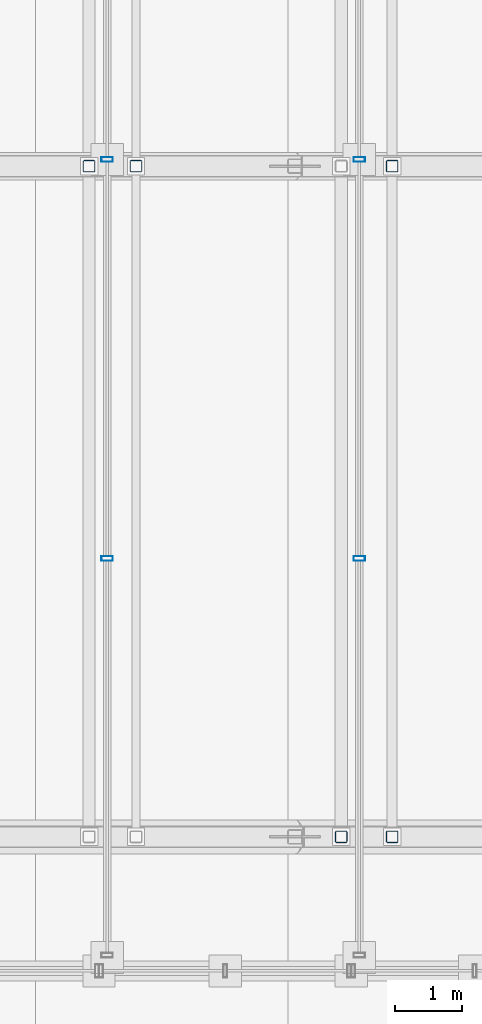
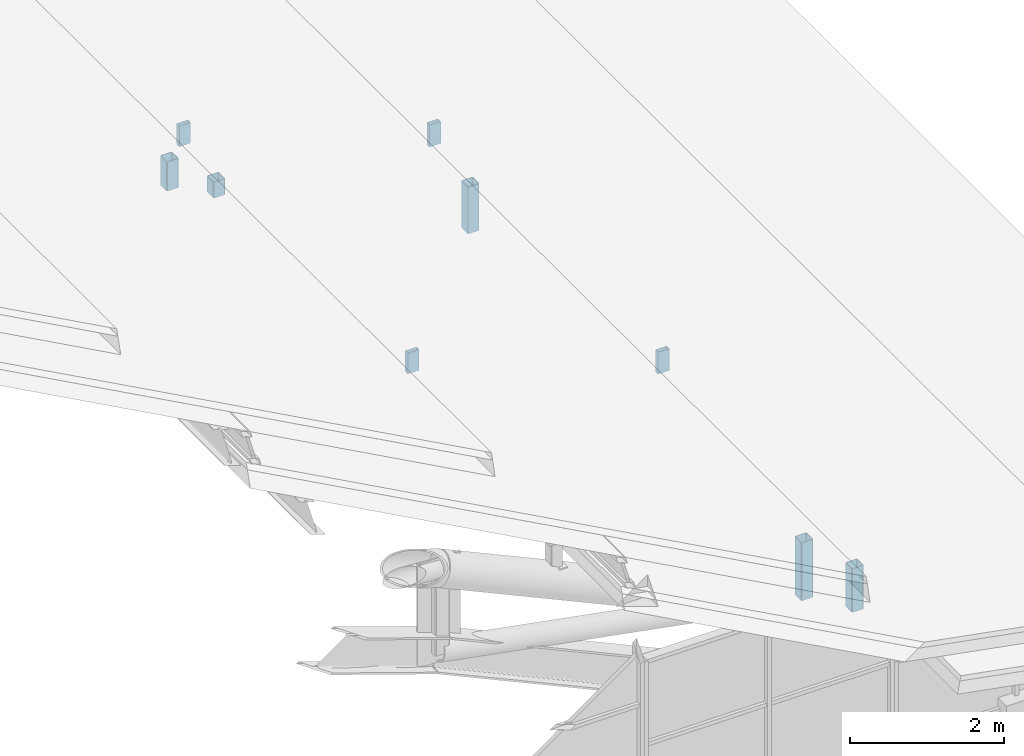
# One storey, part 55 of 117: 9 members, 2 elements without a shape of their own.
"""IFC4 building model written with IfcOpenShell, lengths in metres."""

from ifc_helpers import new_model, si_unit, direction, frame, origin, origin_2d, place, context, subcontext, project, spatial, hollow_rectangle, extrude, material, material_profile, profile_set, type_object, element, aggregate, save


model = new_model("IFC4")

# Units and contexts
model_context = context("Model", 3, precision=1e-05, world=origin(), true_north=direction((0.0, 1.0)))
body_context = subcontext(model_context, "Body", "Model", "MODEL_VIEW")
ifc_project = project(units=[si_unit("LENGTHUNIT", "METRE"), si_unit("AREAUNIT", "SQUARE_METRE"), si_unit("VOLUMEUNIT", "CUBIC_METRE"), si_unit("PLANEANGLEUNIT", "RADIAN"), si_unit("MASSUNIT", "GRAM", prefix="KILO")], contexts=[model_context])

# Site, building, storey
site_placement = place(None, origin())
site = spatial("IfcSite", under=ifc_project, at=site_placement, CompositionType="ELEMENT")
building_placement = place(site_placement, origin())
building = spatial("IfcBuilding", under=site, at=building_placement, Name="Merenkruunu Market Hall", CompositionType="ELEMENT")
storey_placement = place(building_placement, frame((0.0, 0.0, 22.800048828125)))
storey = spatial("IfcBuildingStorey", under=building, at=storey_placement, Name="RF", CompositionType="ELEMENT", Elevation=22.800048828125)

# Curtain wall, members
ifc_material_1 = material(Name="Powder-coated aluminium", Category="aluminium")
curtain_wall_type = type_object("IfcCurtainWallType", Name="Clerestory Curtain Band CL05", PredefinedType="USERDEFINED", material=ifc_material_1)
curtain_wall_1_placement = place(storey_placement, origin())
curtain_wall_1 = element("IfcCurtainWall", 1, at=curtain_wall_1_placement, inside=storey, type_object=curtain_wall_type, Name="CW-RF-CWM04-082", ObjectType="CLERESTORY_BAND", PredefinedType="USERDEFINED")
ifc_material_profile_1 = material_profile(ifc_material_1, hollow_rectangle(XDim=0.070068359375, YDim=0.169921875, WallThickness=0.0048828125, at=origin_2d()), Name="ALU 70x170x5")
ifc_profile_set_1 = profile_set([ifc_material_profile_1], Name="Powder-coated aluminium")
member_type_1 = type_object("IfcMemberType", Name="Curtain Wall Mullion CWM04", PredefinedType="MULLION", material=ifc_profile_set_1)
member_1_placement = place(storey_placement, frame((53.760009765625, 27.699951171875, -6.52197265625), z_axis=(0.0, 0.0, 1.0), x_axis=(0.0, -1.0, 0.0)))
member_1 = element("IfcMember", 2, at=member_1_placement, type_object=member_type_1, Name="CL05 mullion 3", PredefinedType="MULLION", context=body_context, shape_type="SweptSolid", body=[
    extrude(hollow_rectangle(XDim=0.070068359375, YDim=0.169921875, WallThickness=0.0048828125, at=origin_2d()), origin(), (0.0, 0.0, 1.0), 0.347900390625),
])
member_2_placement = place(storey_placement, frame((53.760009765625, 21.75, -6.52197265625), z_axis=(0.0, 0.0, 1.0), x_axis=(0.0, -1.0, 0.0)))
member_2 = element("IfcMember", 3, at=member_2_placement, type_object=member_type_1, Name="CL05 mullion 4", PredefinedType="MULLION", context=body_context, shape_type="SweptSolid", body=[
    extrude(hollow_rectangle(XDim=0.070068359375, YDim=0.169921875, WallThickness=0.0048828125, at=origin_2d()), origin(), (0.0, 0.0, 1.0), 0.347900390625),
])
aggregate(curtain_wall_1, [member_1, member_2])

curtain_wall_2_placement = place(storey_placement, origin())
curtain_wall_2 = element("IfcCurtainWall", 4, at=curtain_wall_2_placement, inside=storey, type_object=curtain_wall_type, Name="CW-RF-CWM04-090", ObjectType="CLERESTORY_BAND", PredefinedType="USERDEFINED")
member_3_placement = place(storey_placement, frame((50.0, 27.699951171875, -5.2021484375), z_axis=(0.0, 0.0, 1.0), x_axis=(0.0, -1.0, 0.0)))
member_3 = element("IfcMember", 5, at=member_3_placement, type_object=member_type_1, Name="CL05 mullion 3", PredefinedType="MULLION", context=body_context, shape_type="SweptSolid", body=[
    extrude(hollow_rectangle(XDim=0.070068359375, YDim=0.169921875, WallThickness=0.0048828125, at=origin_2d()), origin(), (0.0, 0.0, 1.0), 0.3271484375),
])
member_4_placement = place(storey_placement, frame((50.0, 21.75, -5.2021484375), z_axis=(0.0, 0.0, 1.0), x_axis=(0.0, -1.0, 0.0)))
member_4 = element("IfcMember", 6, at=member_4_placement, type_object=member_type_1, Name="CL05 mullion 4", PredefinedType="MULLION", context=body_context, shape_type="SweptSolid", body=[
    extrude(hollow_rectangle(XDim=0.070068359375, YDim=0.169921875, WallThickness=0.0048828125, at=origin_2d()), origin(), (0.0, 0.0, 1.0), 0.3271484375),
])
aggregate(curtain_wall_2, [member_3, member_4])

# Members
ifc_material_2 = material(Name="Steel S355J2", Category="steel")
ifc_material_profile_2 = material_profile(ifc_material_2, hollow_rectangle(XDim=0.179931640625, YDim=0.179931640625, WallThickness=0.010009765625, InnerFilletRadius=0.010009765625, OuterFilletRadius=0.02001953125, at=origin_2d()), Name="SHS 180x180x10")
ifc_profile_set_2 = profile_set([ifc_material_profile_2], Name="Steel S355J2")
member_type_2 = type_object("IfcMemberType", Name="Diagonal Sway Brace BR05", PredefinedType="BRACE", material=ifc_profile_set_2)
member_5_placement = place(storey_placement, frame((54.25, 17.60009765625, -7.929931640625), z_axis=(0.0, 0.0, 1.0), x_axis=(1.0, 0.0, 0.0)))
element("IfcMember", 7, at=member_5_placement, inside=storey, type_object=member_type_2, Name="TRUSS-AT-1-RISER-E1-2", PredefinedType="BRACE", context=body_context, shape_type="SweptSolid", body=[
    extrude(hollow_rectangle(XDim=0.179931640625, YDim=0.179931640625, WallThickness=0.010009765625, InnerFilletRadius=0.010009765625, OuterFilletRadius=0.02001953125, at=origin_2d()), origin(), (0.0, 0.0, 1.0), 0.6904296875),
])
member_6_placement = place(storey_placement, frame((53.489990234375, 17.60009765625, -7.48095703125), z_axis=(0.0, 0.0, 1.0), x_axis=(1.0, 0.0, 0.0)))
element("IfcMember", 8, at=member_6_placement, inside=storey, type_object=member_type_2, Name="TRUSS-AT-1-RISER-E2-1", PredefinedType="BRACE", context=body_context, shape_type="SweptSolid", body=[
    extrude(hollow_rectangle(XDim=0.179931640625, YDim=0.179931640625, WallThickness=0.010009765625, InnerFilletRadius=0.010009765625, OuterFilletRadius=0.02001953125, at=origin_2d()), origin(), (0.0, 0.0, 1.0), 0.9228515625),
])
member_7_placement = place(storey_placement, frame((54.25, 27.60009765625, -7.98095703125), z_axis=(0.0, 0.0, 1.0), x_axis=(1.0, 0.0, 0.0)))
element("IfcMember", 9, at=member_7_placement, inside=storey, type_object=member_type_2, Name="TRUSS-AT-2-RISER-E1-2", PredefinedType="BRACE", context=body_context, shape_type="SweptSolid", body=[
    extrude(hollow_rectangle(XDim=0.179931640625, YDim=0.179931640625, WallThickness=0.010009765625, InnerFilletRadius=0.010009765625, OuterFilletRadius=0.02001953125, at=origin_2d()), origin(), (0.0, 0.0, 1.0), 0.741455078125),
])
member_8_placement = place(storey_placement, frame((50.429931640625, 27.60009765625, -6.075439453125), z_axis=(0.0, 0.0, 1.0), x_axis=(1.0, 0.0, 0.0)))
element("IfcMember", 10, at=member_8_placement, inside=storey, type_object=member_type_2, Name="TRUSS-AT-2-RISER-E2-2", PredefinedType="BRACE", context=body_context, shape_type="SweptSolid", body=[
    extrude(hollow_rectangle(XDim=0.179931640625, YDim=0.179931640625, WallThickness=0.010009765625, InnerFilletRadius=0.010009765625, OuterFilletRadius=0.02001953125, at=origin_2d()), origin(), (0.0, 0.0, 1.0), 0.25),
])
member_9_placement = place(storey_placement, frame((49.72998046875, 27.60009765625, -5.720947265625), z_axis=(0.0, 0.0, 1.0), x_axis=(1.0, 0.0, 0.0)))
element("IfcMember", 11, at=member_9_placement, inside=storey, type_object=member_type_2, Name="TRUSS-AT-2-RISER-E3-1", PredefinedType="BRACE", context=body_context, shape_type="SweptSolid", body=[
    extrude(hollow_rectangle(XDim=0.179931640625, YDim=0.179931640625, WallThickness=0.010009765625, InnerFilletRadius=0.010009765625, OuterFilletRadius=0.02001953125, at=origin_2d()), origin(), (0.0, 0.0, 1.0), 0.462646484375),
])

save(model, "model.ifc")
